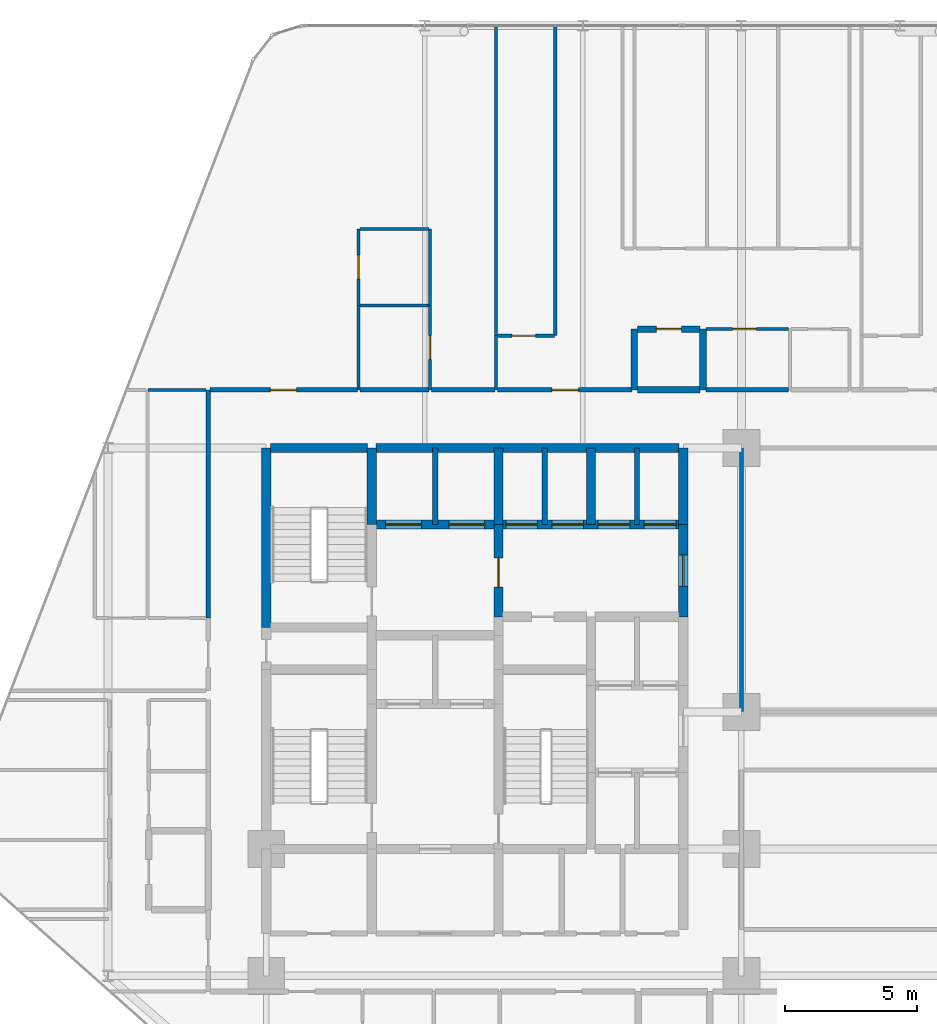
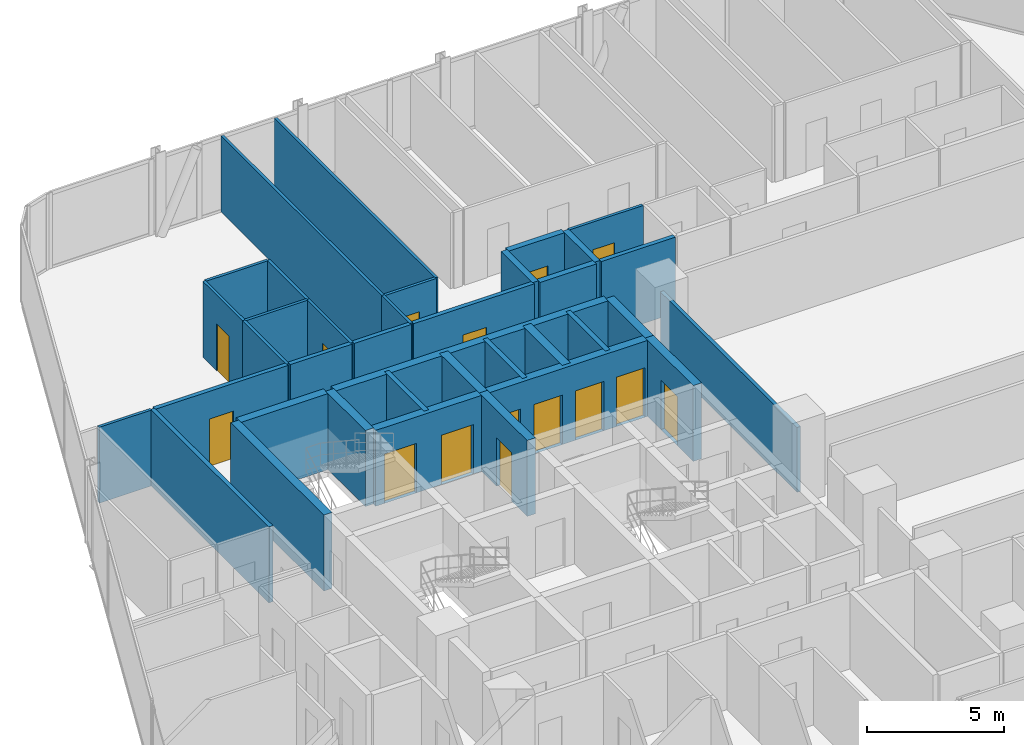
# One storey, part 30 of 33: 36 walls, 15 doors, 15 openings.
"""IFC4 building model written with IfcOpenShell, lengths in metres."""

from ifc_helpers import new_model, si_unit, direction, frame, frame_2d, origin, place, context, subcontext, project, spatial, rectangle, extrude, material, layer, layer_set, type_object, element, fill, save


model = new_model("IFC4")

# Units and contexts
model_context = context("Model", 3, precision=1e-05, world=origin(), true_north=direction((0.0, 1.0)))
body_context = subcontext(model_context, "Body", "Model", "MODEL_VIEW")
ifc_project = project(units=[si_unit("LENGTHUNIT", "METRE"), si_unit("AREAUNIT", "SQUARE_METRE"), si_unit("VOLUMEUNIT", "CUBIC_METRE"), si_unit("PLANEANGLEUNIT", "RADIAN"), si_unit("MASSUNIT", "GRAM", prefix="KILO")], contexts=[model_context])

# Site, building, storey
site_placement = place(None, origin())
site = spatial("IfcSite", under=ifc_project, at=site_placement, CompositionType="ELEMENT")
building_placement = place(site_placement, origin())
building = spatial("IfcBuilding", under=site, at=building_placement, Name="Keshet Zoharim Tower", CompositionType="ELEMENT")
storey_placement = place(building_placement, frame((0.0, 0.0, 35.10009765625)))
storey = spatial("IfcBuildingStorey", under=building, at=storey_placement, Name="L07", CompositionType="ELEMENT", Elevation=35.10009765625)

# Walls
ifc_material_1 = material(Name="Gypsum Plasterboard", Category="gypsum")
ifc_layer_1 = layer(ifc_material_1, 0.14990234375)
ifc_layer_set_1 = layer_set([ifc_layer_1], Name="Gypsum Plasterboard")
wall_type_1 = type_object("IfcWallType", Name="WL-CLIN-150", PredefinedType="STANDARD", material=ifc_layer_set_1)
wall_1_placement = place(storey_placement, frame((33.0, 27.909912109375, 0.0), z_axis=(0.0, 0.0, 1.0), x_axis=(0.0, 1.0, 0.0)))
element("IfcWall", 1, at=wall_1_placement, inside=storey, type_object=wall_type_1, Name="L07 Interior Wall 073", PredefinedType="STANDARD", context=body_context, shape_type="SweptSolid", body=[
    extrude(rectangle(XDim=9.97998046875, YDim=0.14990234375, at=frame_2d((4.989990234375, 0.0))), origin(), (0.0, 0.0, 1.0), 2.885009765625),
])
ifc_material_2 = material(Name="Concrete C60/75", Category="concrete")
ifc_layer_2 = layer(ifc_material_2, 0.35009765625)
ifc_layer_set_2 = layer_set([ifc_layer_2], Name="Concrete C60/75")
wall_type_2 = type_object("IfcWallType", Name="WL-CORE-350", PredefinedType="SHEAR", material=ifc_layer_set_2)
wall_2_placement = place(storey_placement, frame((15.0, 31.10009765625, 0.0), z_axis=(0.0, 0.0, 1.0), x_axis=(0.0, 1.0, 0.0)))
element("IfcWall", 2, at=wall_2_placement, inside=storey, type_object=wall_type_2, Name="L07 Core Shear Wall 016", PredefinedType="SHEAR", context=body_context, shape_type="SweptSolid", body=[
    extrude(rectangle(XDim=6.7998046875, YDim=0.35009765625, at=frame_2d((3.39990234375, 0.0))), origin(), (0.0, 0.0, 1.0), 3.385009765625),
])
wall_3_placement = place(storey_placement, frame((19.0, 35.0, 0.0), z_axis=(0.0, 0.0, 1.0), x_axis=(0.0, 1.0, 0.0)))
element("IfcWall", 3, at=wall_3_placement, inside=storey, type_object=wall_type_2, Name="L07 Core Shear Wall 025", PredefinedType="SHEAR", context=body_context, shape_type="SweptSolid", body=[
    extrude(rectangle(XDim=2.89990234375, YDim=0.35009765625, at=frame_2d((1.449951171875, 0.0))), origin(), (0.0, 0.0, 1.0), 3.385009765625),
])

# Wall, opening, door
wall_4_placement = place(storey_placement, frame((23.800048828125, 31.5, 0.0), z_axis=(0.0, 0.0, 1.0), x_axis=(0.0, 1.0, 0.0)))
wall_4 = element("IfcWall", 4, at=wall_4_placement, inside=storey, type_object=wall_type_2, Name="L07 Core Shear Wall 039", PredefinedType="SHEAR", context=body_context, shape_type="SweptSolid", body=[
    extrude(rectangle(XDim=3.5, YDim=0.35009765625, at=frame_2d((1.75, 0.0))), origin(), (0.0, 0.0, 1.0), 3.385009765625),
])
opening_1_placement = place(wall_4_placement, frame((1.126953125, 0.0, 0.0)))
opening_1 = element("IfcOpeningElement", 5, at=opening_1_placement, cuts=wall_4, Name="Opening D-F611", PredefinedType="OPENING", context=body_context, shape_type="SweptSolid", body=[
    extrude(rectangle(XDim=1.10009765625, YDim=2.14990234375, at=frame_2d((0.550048828125, 1.074951171875))), frame((0.0, 0.18505859375, 0.0), z_axis=(0.0, -1.0, 0.0), x_axis=(1.0, 0.0, 0.0)), (0.0, 0.0, 1.0), 0.3701171875),
])
ifc_material_3 = material(Name="Hardwood Timber", Category="wood")
door_type_1 = type_object("IfcDoorType", Name="DR-FD60-110", OperationType="NOTDEFINED", PredefinedType="DOOR", material=ifc_material_3)
door_1_placement = place(opening_1_placement, origin())
door_1 = element("IfcDoor", 6, at=door_1_placement, inside=storey, type_object=door_type_1, Name="L07 Firefighting Lobby Fire Door", OperationType="SINGLE_SWING_LEFT", OverallHeight=2.14990234375, OverallWidth=1.10009765625, PredefinedType="DOOR", context=body_context, shape_type="SweptSolid", body=[
    extrude(rectangle(XDim=1.10009765625, YDim=2.14990234375, at=frame_2d((0.550048828125, 1.074951171875))), frame((0.0, 0.02490234375, 0.0), z_axis=(0.0, -1.0, 0.0), x_axis=(1.0, 0.0, 0.0)), (0.0, 0.0, 1.0), 0.050048828125),
])
fill(opening_1, door_1)

# Walls
for number, where, z_axis, x_axis, name in (
    (7, (23.800048828125, 35.0, 0.0), (0.0, 0.0, 1.0), (0.0, 1.0, 0.0), "L07 Core Shear Wall 040"),
    (8, (27.300048828125, 35.0, 0.0), (0.0, 0.0, 1.0), (0.0, 1.0, 0.0), "L07 Core Shear Wall 051"),
):
    element("IfcWall", number, at=place(storey_placement, frame(where, z_axis=z_axis, x_axis=x_axis)), inside=storey, type_object=wall_type_2, Name=name, PredefinedType="SHEAR", context=body_context, shape_type="SweptSolid", body=[
        extrude(rectangle(XDim=2.89990234375, YDim=0.35009765625, at=frame_2d((1.449951171875, 0.0))), origin(), (0.0, 0.0, 1.0), 3.385009765625),
    ])

# Wall, opening, door
wall_5_placement = place(storey_placement, frame((30.800048828125, 31.5, 0.0), z_axis=(0.0, 0.0, 1.0), x_axis=(0.0, 1.0, 0.0)))
wall_5 = element("IfcWall", 9, at=wall_5_placement, inside=storey, type_object=wall_type_2, Name="L07 Core Shear Wall 066", PredefinedType="SHEAR", context=body_context, shape_type="SweptSolid", body=[
    extrude(rectangle(XDim=3.5, YDim=0.35009765625, at=frame_2d((1.75, 0.0))), origin(), (0.0, 0.0, 1.0), 3.385009765625),
])
opening_2_placement = place(wall_5_placement, frame((1.14990234375, 0.0, 0.0)))
opening_2 = element("IfcOpeningElement", 10, at=opening_2_placement, cuts=wall_5, Name="Opening D-F612", PredefinedType="OPENING", context=body_context, shape_type="SweptSolid", body=[
    extrude(rectangle(XDim=1.199951171875, YDim=2.199951171875, at=frame_2d((0.60009765625, 1.10009765625))), frame((0.0, 0.18505859375, 0.0), z_axis=(0.0, -1.0, 0.0), x_axis=(1.0, 0.0, 0.0)), (0.0, 0.0, 1.0), 0.3701171875),
])
door_type_2 = type_object("IfcDoorType", Name="DR-FD60-120", OperationType="NOTDEFINED", PredefinedType="DOOR", material=ifc_material_3)
door_2_placement = place(opening_2_placement, origin())
door_2 = element("IfcDoor", 11, at=door_2_placement, inside=storey, type_object=door_type_2, Name="L07 North Lift Lobby East Fire Door", OperationType="SINGLE_SWING_LEFT", OverallHeight=2.199951171875, OverallWidth=1.199951171875, PredefinedType="DOOR", context=body_context, shape_type="SweptSolid", body=[
    extrude(rectangle(XDim=1.199951171875, YDim=2.199951171875, at=frame_2d((0.60009765625, 1.10009765625))), frame((0.0, 0.02490234375, 0.0), z_axis=(0.0, -1.0, 0.0), x_axis=(1.0, 0.0, 0.0)), (0.0, 0.0, 1.0), 0.050048828125),
])
fill(opening_2, door_2)

# Wall
wall_6_placement = place(storey_placement, frame((30.800048828125, 35.0, 0.0), z_axis=(0.0, 0.0, 1.0), x_axis=(0.0, 1.0, 0.0)))
element("IfcWall", 12, at=wall_6_placement, inside=storey, type_object=wall_type_2, Name="L07 Core Shear Wall 067", PredefinedType="SHEAR", context=body_context, shape_type="SweptSolid", body=[
    extrude(rectangle(XDim=2.89990234375, YDim=0.35009765625, at=frame_2d((1.449951171875, 0.0))), origin(), (0.0, 0.0, 1.0), 3.385009765625),
])

# Wall, openings, doors
wall_7_placement = place(storey_placement, frame((19.159912109375, 35.0, 0.0), z_axis=(0.0, 0.0, 1.0), x_axis=(1.0, 0.0, 0.0)))
wall_7 = element("IfcWall", 13, at=wall_7_placement, inside=storey, type_object=wall_type_2, Name="L07 Core Shear Wall 202", PredefinedType="SHEAR", context=body_context, shape_type="SweptSolid", body=[
    extrude(rectangle(XDim=11.47998046875, YDim=0.35009765625, at=frame_2d((5.739990234375, 0.0))), origin(), (0.0, 0.0, 1.0), 3.385009765625),
])
opening_3_placement = place(wall_7_placement, frame((0.364990234375, 0.0, 0.0)))
opening_3 = element("IfcOpeningElement", 14, at=opening_3_placement, cuts=wall_7, Name="Opening LD-02", PredefinedType="OPENING", context=body_context, shape_type="SweptSolid", body=[
    extrude(rectangle(XDim=1.35009765625, YDim=2.199951171875, at=frame_2d((0.675048828125, 1.10009765625))), frame((0.0, 0.18505859375, 0.0), z_axis=(0.0, -1.0, 0.0), x_axis=(1.0, 0.0, 0.0)), (0.0, 0.0, 1.0), 0.3701171875),
])
opening_4_placement = place(wall_7_placement, frame((2.764892578125, 0.0, 0.0)))
opening_4 = element("IfcOpeningElement", 15, at=opening_4_placement, cuts=wall_7, Name="Opening LD-02", PredefinedType="OPENING", context=body_context, shape_type="SweptSolid", body=[
    extrude(rectangle(XDim=1.35009765625, YDim=2.199951171875, at=frame_2d((0.675048828125, 1.10009765625))), frame((0.0, 0.18505859375, 0.0), z_axis=(0.0, -1.0, 0.0), x_axis=(1.0, 0.0, 0.0)), (0.0, 0.0, 1.0), 0.3701171875),
])
opening_5_placement = place(wall_7_placement, frame((4.9150390625, 0.0, 0.0)))
opening_5 = element("IfcOpeningElement", 16, at=opening_5_placement, cuts=wall_7, Name="Opening LD-03", PredefinedType="OPENING", context=body_context, shape_type="SweptSolid", body=[
    extrude(rectangle(XDim=1.199951171875, YDim=2.199951171875, at=frame_2d((0.60009765625, 1.10009765625))), frame((0.0, 0.18505859375, 0.0), z_axis=(0.0, -1.0, 0.0), x_axis=(1.0, 0.0, 0.0)), (0.0, 0.0, 1.0), 0.3701171875),
])
opening_6_placement = place(wall_7_placement, frame((6.6650390625, 0.0, 0.0)))
opening_6 = element("IfcOpeningElement", 17, at=opening_6_placement, cuts=wall_7, Name="Opening LD-03", PredefinedType="OPENING", context=body_context, shape_type="SweptSolid", body=[
    extrude(rectangle(XDim=1.199951171875, YDim=2.199951171875, at=frame_2d((0.60009765625, 1.10009765625))), frame((0.0, 0.18505859375, 0.0), z_axis=(0.0, -1.0, 0.0), x_axis=(1.0, 0.0, 0.0)), (0.0, 0.0, 1.0), 0.3701171875),
])
opening_7_placement = place(wall_7_placement, frame((8.4150390625, 0.0, 0.0)))
opening_7 = element("IfcOpeningElement", 18, at=opening_7_placement, cuts=wall_7, Name="Opening LD-03", PredefinedType="OPENING", context=body_context, shape_type="SweptSolid", body=[
    extrude(rectangle(XDim=1.199951171875, YDim=2.199951171875, at=frame_2d((0.60009765625, 1.10009765625))), frame((0.0, 0.18505859375, 0.0), z_axis=(0.0, -1.0, 0.0), x_axis=(1.0, 0.0, 0.0)), (0.0, 0.0, 1.0), 0.3701171875),
])
opening_8_placement = place(wall_7_placement, frame((10.159912109375, 0.0, 0.0)))
opening_8 = element("IfcOpeningElement", 19, at=opening_8_placement, cuts=wall_7, Name="Opening LD-03", PredefinedType="OPENING", context=body_context, shape_type="SweptSolid", body=[
    extrude(rectangle(XDim=1.199951171875, YDim=2.199951171875, at=frame_2d((0.60009765625, 1.10009765625))), frame((0.0, 0.18505859375, 0.0), z_axis=(0.0, -1.0, 0.0), x_axis=(1.0, 0.0, 0.0)), (0.0, 0.0, 1.0), 0.3701171875),
])
ifc_material_4 = material(Name="Steel S355", Category="steel")
door_type_3 = type_object("IfcDoorType", Name="DR-LD02-135", OperationType="DOUBLE_DOOR_SLIDING", PredefinedType="DOOR", material=ifc_material_4)
door_3_placement = place(opening_3_placement, origin())
door_3 = element("IfcDoor", 20, at=door_3_placement, inside=storey, type_object=door_type_3, Name="L07 Firefighting Lift Landing Door FF-01", OperationType="DOUBLE_DOOR_SLIDING", OverallHeight=2.199951171875, OverallWidth=1.35009765625, PredefinedType="DOOR", context=body_context, shape_type="SweptSolid", body=[
    extrude(rectangle(XDim=1.35009765625, YDim=2.199951171875, at=frame_2d((0.675048828125, 1.10009765625))), frame((0.0, 0.02490234375, 0.0), z_axis=(0.0, -1.0, 0.0), x_axis=(1.0, 0.0, 0.0)), (0.0, 0.0, 1.0), 0.050048828125),
])
fill(opening_3, door_3)
door_4_placement = place(opening_4_placement, origin())
door_4 = element("IfcDoor", 21, at=door_4_placement, inside=storey, type_object=door_type_3, Name="L07 Firefighting Lift Landing Door FF-02", OperationType="DOUBLE_DOOR_SLIDING", OverallHeight=2.199951171875, OverallWidth=1.35009765625, PredefinedType="DOOR", context=body_context, shape_type="SweptSolid", body=[
    extrude(rectangle(XDim=1.35009765625, YDim=2.199951171875, at=frame_2d((0.675048828125, 1.10009765625))), frame((0.0, 0.02490234375, 0.0), z_axis=(0.0, -1.0, 0.0), x_axis=(1.0, 0.0, 0.0)), (0.0, 0.0, 1.0), 0.050048828125),
])
fill(opening_4, door_4)
door_type_4 = type_object("IfcDoorType", Name="DR-LD03-120", OperationType="DOUBLE_DOOR_SLIDING", PredefinedType="DOOR", material=ifc_material_4)
door_5_placement = place(opening_5_placement, origin())
door_5 = element("IfcDoor", 22, at=door_5_placement, inside=storey, type_object=door_type_4, Name="L07 Passenger Lift Landing Door LF-01", OperationType="DOUBLE_DOOR_SLIDING", OverallHeight=2.199951171875, OverallWidth=1.199951171875, PredefinedType="DOOR", context=body_context, shape_type="SweptSolid", body=[
    extrude(rectangle(XDim=1.199951171875, YDim=2.199951171875, at=frame_2d((0.60009765625, 1.10009765625))), frame((0.0, 0.02490234375, 0.0), z_axis=(0.0, -1.0, 0.0), x_axis=(1.0, 0.0, 0.0)), (0.0, 0.0, 1.0), 0.050048828125),
])
fill(opening_5, door_5)
door_6_placement = place(opening_6_placement, origin())
door_6 = element("IfcDoor", 23, at=door_6_placement, inside=storey, type_object=door_type_4, Name="L07 Passenger Lift Landing Door LF-02", OperationType="DOUBLE_DOOR_SLIDING", OverallHeight=2.199951171875, OverallWidth=1.199951171875, PredefinedType="DOOR", context=body_context, shape_type="SweptSolid", body=[
    extrude(rectangle(XDim=1.199951171875, YDim=2.199951171875, at=frame_2d((0.60009765625, 1.10009765625))), frame((0.0, 0.02490234375, 0.0), z_axis=(0.0, -1.0, 0.0), x_axis=(1.0, 0.0, 0.0)), (0.0, 0.0, 1.0), 0.050048828125),
])
fill(opening_6, door_6)
door_7_placement = place(opening_7_placement, origin())
door_7 = element("IfcDoor", 24, at=door_7_placement, inside=storey, type_object=door_type_4, Name="L07 Passenger Lift Landing Door LF-03", OperationType="DOUBLE_DOOR_SLIDING", OverallHeight=2.199951171875, OverallWidth=1.199951171875, PredefinedType="DOOR", context=body_context, shape_type="SweptSolid", body=[
    extrude(rectangle(XDim=1.199951171875, YDim=2.199951171875, at=frame_2d((0.60009765625, 1.10009765625))), frame((0.0, 0.02490234375, 0.0), z_axis=(0.0, -1.0, 0.0), x_axis=(1.0, 0.0, 0.0)), (0.0, 0.0, 1.0), 0.050048828125),
])
fill(opening_7, door_7)
door_8_placement = place(opening_8_placement, origin())
door_8 = element("IfcDoor", 25, at=door_8_placement, inside=storey, type_object=door_type_4, Name="L07 Passenger Lift Landing Door LF-04", OperationType="DOUBLE_DOOR_SLIDING", OverallHeight=2.199951171875, OverallWidth=1.199951171875, PredefinedType="DOOR", context=body_context, shape_type="SweptSolid", body=[
    extrude(rectangle(XDim=1.199951171875, YDim=2.199951171875, at=frame_2d((0.60009765625, 1.10009765625))), frame((0.0, 0.02490234375, 0.0), z_axis=(0.0, -1.0, 0.0), x_axis=(1.0, 0.0, 0.0)), (0.0, 0.0, 1.0), 0.050048828125),
])
fill(opening_8, door_8)

# Walls
wall_8_placement = place(storey_placement, frame((15.159912109375, 37.89990234375, 0.0), z_axis=(0.0, 0.0, 1.0), x_axis=(1.0, 0.0, 0.0)))
element("IfcWall", 26, at=wall_8_placement, inside=storey, type_object=wall_type_2, Name="L07 Core Shear Wall 203", PredefinedType="SHEAR", context=body_context, shape_type="SweptSolid", body=[
    extrude(rectangle(XDim=3.68017578125, YDim=0.35009765625, at=frame_2d((1.840087890625, 0.0))), origin(), (0.0, 0.0, 1.0), 3.385009765625),
])
wall_9_placement = place(storey_placement, frame((19.159912109375, 37.89990234375, 0.0), z_axis=(0.0, 0.0, 1.0), x_axis=(1.0, 0.0, 0.0)))
element("IfcWall", 27, at=wall_9_placement, inside=storey, type_object=wall_type_2, Name="L07 Core Shear Wall 204", PredefinedType="SHEAR", context=body_context, shape_type="SweptSolid", body=[
    extrude(rectangle(XDim=11.47998046875, YDim=0.35009765625, at=frame_2d((5.739990234375, 0.0))), origin(), (0.0, 0.0, 1.0), 3.385009765625),
])
ifc_layer_3 = layer(ifc_material_1, 0.179931640625)
ifc_layer_set_3 = layer_set([ifc_layer_3], Name="Gypsum Plasterboard")
wall_type_3 = type_object("IfcWallType", Name="WL-CORR-180", PredefinedType="STANDARD", material=ifc_layer_set_3)
wall_10_placement = place(storey_placement, frame((12.800048828125, 31.449951171875, 0.0), z_axis=(0.0, 0.0, 1.0), x_axis=(0.0, 1.0, 0.0)))
element("IfcWall", 28, at=wall_10_placement, inside=storey, type_object=wall_type_3, Name="L07 Interior Wall 012", PredefinedType="STANDARD", context=body_context, shape_type="SweptSolid", body=[
    extrude(rectangle(XDim=8.650146484375, YDim=0.179931640625, at=frame_2d((4.3251953125, 0.0))), origin(), (0.0, 0.0, 1.0), 3.385009765625),
])

# Wall, opening, door
wall_11_placement = place(storey_placement, frame((12.875, 40.10009765625, 0.0), z_axis=(0.0, 0.0, 1.0), x_axis=(1.0, 0.0, 0.0)))
wall_11 = element("IfcWall", 29, at=wall_11_placement, inside=storey, type_object=wall_type_3, Name="L07 Interior Wall 208", PredefinedType="STANDARD", context=body_context, shape_type="SweptSolid", body=[
    extrude(rectangle(XDim=5.590087890625, YDim=0.179931640625, at=frame_2d((2.794921875, 0.0))), origin(), (0.0, 0.0, 1.0), 3.385009765625),
])
opening_9_placement = place(wall_11_placement, frame((2.280029296875, 0.0, 0.0)))
opening_9 = element("IfcOpeningElement", 30, at=opening_9_placement, cuts=wall_11, Name="Opening D-F310", PredefinedType="OPENING", context=body_context, shape_type="SweptSolid", body=[
    extrude(rectangle(XDim=1.0, YDim=2.14990234375, at=frame_2d((0.5, 1.074951171875))), frame((0.0, 0.10009765625, 0.0), z_axis=(0.0, -1.0, 0.0), x_axis=(1.0, 0.0, 0.0)), (0.0, 0.0, 1.0), 0.199951171875),
])
door_type_5 = type_object("IfcDoorType", Name="DR-FD30-100", OperationType="NOTDEFINED", PredefinedType="DOOR", material=ifc_material_3)
door_9_placement = place(opening_9_placement, origin())
door_9 = element("IfcDoor", 31, at=door_9_placement, inside=storey, type_object=door_type_5, Name="Apartment 0705 Entrance Door", OperationType="SINGLE_SWING_LEFT", OverallHeight=2.14990234375, OverallWidth=1.0, PredefinedType="DOOR", context=body_context, shape_type="SweptSolid", body=[
    extrude(rectangle(XDim=1.0, YDim=2.14990234375, at=frame_2d((0.5, 1.074951171875))), frame((0.0, 0.02490234375, 0.0), z_axis=(0.0, -1.0, 0.0), x_axis=(1.0, 0.0, 0.0)), (0.0, 0.0, 1.0), 0.050048828125),
])
fill(opening_9, door_9)

# Walls
wall_12_placement = place(storey_placement, frame((18.554931640625, 40.10009765625, 0.0), z_axis=(0.0, 0.0, 1.0), x_axis=(1.0, 0.0, 0.0)))
element("IfcWall", 32, at=wall_12_placement, inside=storey, type_object=wall_type_3, Name="L07 Interior Wall 209", PredefinedType="STANDARD", context=body_context, shape_type="SweptSolid", body=[
    extrude(rectangle(XDim=2.610107421875, YDim=0.179931640625, at=frame_2d((1.30517578125, 0.0))), origin(), (0.0, 0.0, 1.0), 3.385009765625),
])
wall_13_placement = place(storey_placement, frame((21.2548828125, 40.10009765625, 0.0), z_axis=(0.0, 0.0, 1.0), x_axis=(1.0, 0.0, 0.0)))
element("IfcWall", 33, at=wall_13_placement, inside=storey, type_object=wall_type_3, Name="L07 Interior Wall 210", PredefinedType="STANDARD", context=body_context, shape_type="SweptSolid", body=[
    extrude(rectangle(XDim=2.41015625, YDim=0.179931640625, at=frame_2d((1.205078125, 0.0))), origin(), (0.0, 0.0, 1.0), 3.385009765625),
])

# Wall, opening, door
wall_14_placement = place(storey_placement, frame((23.7548828125, 40.10009765625, 0.0), z_axis=(0.0, 0.0, 1.0), x_axis=(1.0, 0.0, 0.0)))
wall_14 = element("IfcWall", 34, at=wall_14_placement, inside=storey, type_object=wall_type_3, Name="L07 Interior Wall 211", PredefinedType="STANDARD", context=body_context, shape_type="SweptSolid", body=[
    extrude(rectangle(XDim=5.09521484375, YDim=0.179931640625, at=frame_2d((2.547607421875, 0.0))), origin(), (0.0, 0.0, 1.0), 3.385009765625),
])
opening_10_placement = place(wall_14_placement, frame((2.080078125, 0.0, 0.0)))
opening_10 = element("IfcOpeningElement", 35, at=opening_10_placement, cuts=wall_14, Name="Opening D-F310", PredefinedType="OPENING", context=body_context, shape_type="SweptSolid", body=[
    extrude(rectangle(XDim=1.0, YDim=2.14990234375, at=frame_2d((0.5, 1.074951171875))), frame((0.0, 0.10009765625, 0.0), z_axis=(0.0, -1.0, 0.0), x_axis=(1.0, 0.0, 0.0)), (0.0, 0.0, 1.0), 0.199951171875),
])
door_10_placement = place(opening_10_placement, origin())
door_10 = element("IfcDoor", 36, at=door_10_placement, inside=storey, type_object=door_type_5, Name="Apartment 0706 Entrance Door", OperationType="SINGLE_SWING_RIGHT", OverallHeight=2.14990234375, OverallWidth=1.0, PredefinedType="DOOR", context=body_context, shape_type="SweptSolid", body=[
    extrude(rectangle(XDim=1.0, YDim=2.14990234375, at=frame_2d((0.5, 1.074951171875))), frame((0.0, 0.02490234375, 0.0), z_axis=(0.0, -1.0, 0.0), x_axis=(1.0, 0.0, 0.0)), (0.0, 0.0, 1.0), 0.050048828125),
])
fill(opening_10, door_10)

# Walls
wall_15_placement = place(storey_placement, frame((31.662109375, 40.10009765625, 0.0), z_axis=(0.0, 0.0, 1.0), x_axis=(1.0, 0.0, 0.0)))
element("IfcWall", 37, at=wall_15_placement, inside=storey, type_object=wall_type_3, Name="L07 Interior Wall 213", PredefinedType="STANDARD", context=body_context, shape_type="SweptSolid", body=[
    extrude(rectangle(XDim=3.120849609375, YDim=0.179931640625, at=frame_2d((1.560546875, 0.0))), origin(), (0.0, 0.0, 1.0), 3.385009765625),
])
ifc_material_5 = material(Name="Concrete C50/60", Category="concrete")
ifc_layer_4 = layer(ifc_material_5, 0.199951171875)
ifc_layer_set_4 = layer_set([ifc_layer_4], Name="Concrete C50/60")
wall_type_4 = type_object("IfcWallType", Name="WL-FIRE-200", PredefinedType="STANDARD", material=ifc_layer_set_4)
for number, where, z_axis, x_axis, name in (
    (38, (21.39990234375, 35.0, 0.0), (0.0, 0.0, 1.0), (0.0, 1.0, 0.0), "L07 Interior Wall 031"),
    (39, (25.550048828125, 35.0, 0.0), (0.0, 0.0, 1.0), (0.0, 1.0, 0.0), "L07 Interior Wall 043"),
    (40, (29.050048828125, 35.0, 0.0), (0.0, 0.0, 1.0), (0.0, 1.0, 0.0), "L07 Interior Wall 059"),
):
    element("IfcWall", number, at=place(storey_placement, frame(where, z_axis=z_axis, x_axis=x_axis)), inside=storey, type_object=wall_type_4, Name=name, PredefinedType="STANDARD", context=body_context, shape_type="SweptSolid", body=[
        extrude(rectangle(XDim=2.89990234375, YDim=0.199951171875, at=frame_2d((1.449951171875, 0.0))), origin(), (0.0, 0.0, 1.0), 3.385009765625),
    ])
ifc_layer_5 = layer(ifc_material_5, 0.25)
ifc_layer_set_5 = layer_set([ifc_layer_5], Name="Concrete C50/60")
wall_type_5 = type_object("IfcWallType", Name="WL-MAMAD-250", PredefinedType="STANDARD", material=ifc_layer_set_5)
for number, where, z_axis, x_axis, name in (
    (41, (28.949951171875, 40.10009765625, 0.0), (0.0, 0.0, 1.0), (0.0, 1.0, 0.0), "L07 Interior Wall 055"),
    (42, (31.550048828125, 40.10009765625, 0.0), (0.0, 0.0, 1.0), (0.0, 1.0, 0.0), "L07 Interior Wall 068"),
):
    element("IfcWall", number, at=place(storey_placement, frame(where, z_axis=z_axis, x_axis=x_axis)), inside=storey, type_object=wall_type_5, Name=name, PredefinedType="STANDARD", context=body_context, shape_type="SweptSolid", body=[
        extrude(rectangle(XDim=2.2998046875, YDim=0.25, at=frame_2d((1.14990234375, 0.0))), origin(), (0.0, 0.0, 1.0), 3.385009765625),
    ])
wall_16_placement = place(storey_placement, frame((29.070068359375, 40.10009765625, 0.0), z_axis=(0.0, 0.0, 1.0), x_axis=(1.0, 0.0, 0.0)))
element("IfcWall", 43, at=wall_16_placement, inside=storey, type_object=wall_type_5, Name="L07 Interior Wall 212", PredefinedType="STANDARD", context=body_context, shape_type="SweptSolid", body=[
    extrude(rectangle(XDim=2.371826171875, YDim=0.25, at=frame_2d((1.18603515625, 0.0))), origin(), (0.0, 0.0, 1.0), 3.385009765625),
])

# Wall, opening, door
wall_17_placement = place(storey_placement, frame((29.070068359375, 42.39990234375, 0.0), z_axis=(0.0, 0.0, 1.0), x_axis=(1.0, 0.0, 0.0)))
wall_17 = element("IfcWall", 44, at=wall_17_placement, inside=storey, type_object=wall_type_5, Name="L07 Interior Wall 226", PredefinedType="STANDARD", context=body_context, shape_type="SweptSolid", body=[
    extrude(rectangle(XDim=2.371826171875, YDim=0.25, at=frame_2d((1.18603515625, 0.0))), origin(), (0.0, 0.0, 1.0), 3.385009765625),
])
opening_11_placement = place(wall_17_placement, frame((0.7109375, 0.0, 0.0)))
opening_11 = element("IfcOpeningElement", 45, at=opening_11_placement, cuts=wall_17, Name="Opening D-F695", PredefinedType="OPENING", context=body_context, shape_type="SweptSolid", body=[
    extrude(rectangle(XDim=0.949951171875, YDim=2.14990234375, at=frame_2d((0.47509765625, 1.074951171875))), frame((0.0, 0.135009765625, 0.0), z_axis=(0.0, -1.0, 0.0), x_axis=(1.0, 0.0, 0.0)), (0.0, 0.0, 1.0), 0.27001953125),
])
door_type_6 = type_object("IfcDoorType", Name="DR-FD60-095", OperationType="NOTDEFINED", PredefinedType="DOOR", material=ifc_material_3)
door_11_placement = place(opening_11_placement, origin())
door_11 = element("IfcDoor", 46, at=door_11_placement, inside=storey, type_object=door_type_6, Name="Apartment 0706 Study and Shelter Room Door", OperationType="SINGLE_SWING_LEFT", OverallHeight=2.14990234375, OverallWidth=0.949951171875, PredefinedType="DOOR", context=body_context, shape_type="SweptSolid", body=[
    extrude(rectangle(XDim=0.949951171875, YDim=2.14990234375, at=frame_2d((0.47509765625, 1.074951171875))), frame((0.0, 0.02490234375, 0.0), z_axis=(0.0, -1.0, 0.0), x_axis=(1.0, 0.0, 0.0)), (0.0, 0.0, 1.0), 0.050048828125),
])
fill(opening_11, door_11)

# Wall
ifc_layer_6 = layer(ifc_material_1, 0.1201171875)
ifc_layer_set_6 = layer_set([ifc_layer_6], Name="Gypsum Plasterboard")
wall_type_6 = type_object("IfcWallType", Name="WL-PART-120", PredefinedType="PARTITIONING", material=ifc_layer_set_6)
wall_18_placement = place(storey_placement, frame((18.5, 40.10009765625, 0.0), z_axis=(0.0, 0.0, 1.0), x_axis=(0.0, 1.0, 0.0)))
element("IfcWall", 47, at=wall_18_placement, inside=storey, type_object=wall_type_6, Name="L07 Interior Wall 017", PredefinedType="PARTITIONING", context=body_context, shape_type="SweptSolid", body=[
    extrude(rectangle(XDim=3.199951171875, YDim=0.1201171875, at=frame_2d((1.60009765625, 0.0))), origin(), (0.0, 0.0, 1.0), 3.385009765625),
])

# Wall, opening, door
wall_19_placement = place(storey_placement, frame((21.199951171875, 40.10009765625, 0.0), z_axis=(0.0, 0.0, 1.0), x_axis=(0.0, 1.0, 0.0)))
wall_19 = element("IfcWall", 48, at=wall_19_placement, inside=storey, type_object=wall_type_6, Name="L07 Interior Wall 026", PredefinedType="PARTITIONING", context=body_context, shape_type="SweptSolid", body=[
    extrude(rectangle(XDim=3.199951171875, YDim=0.1201171875, at=frame_2d((1.60009765625, 0.0))), origin(), (0.0, 0.0, 1.0), 3.385009765625),
])
opening_12_placement = place(wall_19_placement, frame((1.14990234375, 0.0, 0.0)))
opening_12 = element("IfcOpeningElement", 49, at=opening_12_placement, cuts=wall_19, Name="Opening D-IN90", PredefinedType="OPENING", context=body_context, shape_type="SweptSolid", body=[
    extrude(rectangle(XDim=0.89990234375, YDim=2.14990234375, at=frame_2d((0.449951171875, 1.074951171875))), frame((0.0, 0.070068359375, 0.0), z_axis=(0.0, -1.0, 0.0), x_axis=(1.0, 0.0, 0.0)), (0.0, 0.0, 1.0), 0.14013671875),
])
door_type_7 = type_object("IfcDoorType", Name="DR-INT-090", OperationType="NOTDEFINED", PredefinedType="DOOR", material=ifc_material_3)
door_12_placement = place(opening_12_placement, origin())
door_12 = element("IfcDoor", 50, at=door_12_placement, inside=storey, type_object=door_type_7, Name="Apartment 0705 Kitchenette Door", OperationType="SINGLE_SWING_LEFT", OverallHeight=2.14990234375, OverallWidth=0.89990234375, PredefinedType="DOOR", context=body_context, shape_type="SweptSolid", body=[
    extrude(rectangle(XDim=0.89990234375, YDim=2.14990234375, at=frame_2d((0.449951171875, 1.074951171875))), frame((0.0, 0.02490234375, 0.0), z_axis=(0.0, -1.0, 0.0), x_axis=(1.0, 0.0, 0.0)), (0.0, 0.0, 1.0), 0.050048828125),
])
fill(opening_12, door_12)

# Walls
wall_20_placement = place(storey_placement, frame((23.699951171875, 40.10009765625, 0.0), z_axis=(0.0, 0.0, 1.0), x_axis=(0.0, 1.0, 0.0)))
element("IfcWall", 51, at=wall_20_placement, inside=storey, type_object=wall_type_6, Name="L07 Interior Wall 032", PredefinedType="PARTITIONING", context=body_context, shape_type="SweptSolid", body=[
    extrude(rectangle(XDim=2.0498046875, YDim=0.1201171875, at=frame_2d((1.02490234375, 0.0))), origin(), (0.0, 0.0, 1.0), 3.385009765625),
])
for number, where, z_axis, x_axis, name in (
    (52, (23.699951171875, 42.14990234375, 0.0), (0.0, 0.0, 1.0), (0.0, 1.0, 0.0), "L07 Interior Wall 033"),
    (53, (25.949951171875, 42.14990234375, 0.0), (0.0, 0.0, 1.0), (0.0, 1.0, 0.0), "L07 Interior Wall 044"),
):
    element("IfcWall", number, at=place(storey_placement, frame(where, z_axis=z_axis, x_axis=x_axis)), inside=storey, type_object=wall_type_6, Name=name, PredefinedType="PARTITIONING", context=body_context, shape_type="SweptSolid", body=[
        extrude(rectangle(XDim=11.739990234375, YDim=0.1201171875, at=frame_2d((5.8701171875, 0.0))), origin(), (0.0, 0.0, 1.0), 3.385009765625),
    ])

# Wall, opening, door
wall_21_placement = place(storey_placement, frame((23.7548828125, 42.14990234375, 0.0), z_axis=(0.0, 0.0, 1.0), x_axis=(1.0, 0.0, 0.0)))
wall_21 = element("IfcWall", 54, at=wall_21_placement, inside=storey, type_object=wall_type_6, Name="L07 Interior Wall 224", PredefinedType="PARTITIONING", context=body_context, shape_type="SweptSolid", body=[
    extrude(rectangle(XDim=2.16015625, YDim=0.1201171875, at=frame_2d((1.080078125, 0.0))), origin(), (0.0, 0.0, 1.0), 3.385009765625),
])
opening_13_placement = place(wall_21_placement, frame((0.552978515625, 0.0, 0.0)))
opening_13 = element("IfcOpeningElement", 55, at=opening_13_placement, cuts=wall_21, Name="Opening D-IN90", PredefinedType="OPENING", context=body_context, shape_type="SweptSolid", body=[
    extrude(rectangle(XDim=0.89990234375, YDim=2.14990234375, at=frame_2d((0.449951171875, 1.074951171875))), frame((0.0, 0.070068359375, 0.0), z_axis=(0.0, -1.0, 0.0), x_axis=(1.0, 0.0, 0.0)), (0.0, 0.0, 1.0), 0.14013671875),
])
door_13_placement = place(opening_13_placement, origin())
door_13 = element("IfcDoor", 56, at=door_13_placement, inside=storey, type_object=door_type_7, Name="Apartment 0706 Formal Dining Room Door", OperationType="SINGLE_SWING_LEFT", OverallHeight=2.14990234375, OverallWidth=0.89990234375, PredefinedType="DOOR", context=body_context, shape_type="SweptSolid", body=[
    extrude(rectangle(XDim=0.89990234375, YDim=2.14990234375, at=frame_2d((0.449951171875, 1.074951171875))), frame((0.0, 0.02490234375, 0.0), z_axis=(0.0, -1.0, 0.0), x_axis=(1.0, 0.0, 0.0)), (0.0, 0.0, 1.0), 0.050048828125),
])
fill(opening_13, door_13)

wall_22_placement = place(storey_placement, frame((31.662109375, 42.39990234375, 0.0), z_axis=(0.0, 0.0, 1.0), x_axis=(1.0, 0.0, 0.0)))
wall_22 = element("IfcWall", 57, at=wall_22_placement, inside=storey, type_object=wall_type_6, Name="L07 Interior Wall 227", PredefinedType="PARTITIONING", context=body_context, shape_type="SweptSolid", body=[
    extrude(rectangle(XDim=3.120849609375, YDim=0.1201171875, at=frame_2d((1.560546875, 0.0))), origin(), (0.0, 0.0, 1.0), 3.385009765625),
])
opening_14_placement = place(wall_22_placement, frame((1.006103515625, 0.0, 0.0)))
opening_14 = element("IfcOpeningElement", 58, at=opening_14_placement, cuts=wall_22, Name="Opening D-IN90", PredefinedType="OPENING", context=body_context, shape_type="SweptSolid", body=[
    extrude(rectangle(XDim=0.89990234375, YDim=2.14990234375, at=frame_2d((0.449951171875, 1.074951171875))), frame((0.0, 0.070068359375, 0.0), z_axis=(0.0, -1.0, 0.0), x_axis=(1.0, 0.0, 0.0)), (0.0, 0.0, 1.0), 0.14013671875),
])
door_14_placement = place(opening_14_placement, origin())
door_14 = element("IfcDoor", 59, at=door_14_placement, inside=storey, type_object=door_type_7, Name="Apartment 0706 Kitchen Door", OperationType="SINGLE_SWING_RIGHT", OverallHeight=2.14990234375, OverallWidth=0.89990234375, PredefinedType="DOOR", context=body_context, shape_type="SweptSolid", body=[
    extrude(rectangle(XDim=0.89990234375, YDim=2.14990234375, at=frame_2d((0.449951171875, 1.074951171875))), frame((0.0, 0.02490234375, 0.0), z_axis=(0.0, -1.0, 0.0), x_axis=(1.0, 0.0, 0.0)), (0.0, 0.0, 1.0), 0.050048828125),
])
fill(opening_14, door_14)

ifc_layer_7 = layer(ifc_material_1, 0.1201171875)
ifc_layer_set_7 = layer_set([ifc_layer_7], Name="Gypsum Plasterboard")
wall_type_7 = type_object("IfcWallType", Name="WL-WET-120", PredefinedType="PARTITIONING", material=ifc_layer_set_7)
wall_23_placement = place(storey_placement, frame((18.5, 43.300048828125, 0.0), z_axis=(0.0, 0.0, 1.0), x_axis=(0.0, 1.0, 0.0)))
wall_23 = element("IfcWall", 60, at=wall_23_placement, inside=storey, type_object=wall_type_7, Name="L07 Interior Wall 018", PredefinedType="PARTITIONING", context=body_context, shape_type="SweptSolid", body=[
    extrude(rectangle(XDim=2.89990234375, YDim=0.1201171875, at=frame_2d((1.449951171875, 0.0))), origin(), (0.0, 0.0, 1.0), 3.385009765625),
])
opening_15_placement = place(wall_23_placement, frame((1.0, 0.0, 0.0)))
opening_15 = element("IfcOpeningElement", 61, at=opening_15_placement, cuts=wall_23, Name="Opening D-WT90", PredefinedType="OPENING", context=body_context, shape_type="SweptSolid", body=[
    extrude(rectangle(XDim=0.89990234375, YDim=2.10009765625, at=frame_2d((0.449951171875, 1.050048828125))), frame((0.0, 0.070068359375, 0.0), z_axis=(0.0, -1.0, 0.0), x_axis=(1.0, 0.0, 0.0)), (0.0, 0.0, 1.0), 0.14013671875),
])
door_type_8 = type_object("IfcDoorType", Name="DR-WET-090", OperationType="NOTDEFINED", PredefinedType="DOOR", material=ifc_material_3)
door_15_placement = place(opening_15_placement, origin())
door_15 = element("IfcDoor", 62, at=door_15_placement, inside=storey, type_object=door_type_8, Name="Apartment 0705 Bathroom Door", OperationType="SINGLE_SWING_RIGHT", OverallHeight=2.10009765625, OverallWidth=0.89990234375, PredefinedType="DOOR", context=body_context, shape_type="SweptSolid", body=[
    extrude(rectangle(XDim=0.89990234375, YDim=2.10009765625, at=frame_2d((0.449951171875, 1.050048828125))), frame((0.0, 0.02490234375, 0.0), z_axis=(0.0, -1.0, 0.0), x_axis=(1.0, 0.0, 0.0)), (0.0, 0.0, 1.0), 0.050048828125),
])
fill(opening_15, door_15)

# Walls
wall_24_placement = place(storey_placement, frame((21.199951171875, 43.300048828125, 0.0), z_axis=(0.0, 0.0, 1.0), x_axis=(0.0, 1.0, 0.0)))
element("IfcWall", 63, at=wall_24_placement, inside=storey, type_object=wall_type_7, Name="L07 Interior Wall 027", PredefinedType="PARTITIONING", context=body_context, shape_type="SweptSolid", body=[
    extrude(rectangle(XDim=2.89990234375, YDim=0.1201171875, at=frame_2d((1.449951171875, 0.0))), origin(), (0.0, 0.0, 1.0), 3.385009765625),
])
wall_25_placement = place(storey_placement, frame((10.52294921875, 40.10009765625, 0.0), z_axis=(0.0, 0.0, 1.0), x_axis=(1.0, 0.0, 0.0)))
element("IfcWall", 64, at=wall_25_placement, inside=storey, type_object=wall_type_7, Name="L07 Interior Wall 207", PredefinedType="PARTITIONING", context=body_context, shape_type="SweptSolid", body=[
    extrude(rectangle(XDim=2.2021484375, YDim=0.1201171875, at=frame_2d((1.10107421875, 0.0))), origin(), (0.0, 0.0, 1.0), 3.385009765625),
])
for number, where, z_axis, x_axis, name in (
    (65, (18.554931640625, 43.300048828125, 0.0), (0.0, 0.0, 1.0), (1.0, 0.0, 0.0), "L07 Interior Wall 233"),
    (66, (18.554931640625, 46.199951171875, 0.0), (0.0, 0.0, 1.0), (1.0, 0.0, 0.0), "L07 Interior Wall 240"),
):
    element("IfcWall", number, at=place(storey_placement, frame(where, z_axis=z_axis, x_axis=x_axis)), inside=storey, type_object=wall_type_7, Name=name, PredefinedType="PARTITIONING", context=body_context, shape_type="SweptSolid", body=[
        extrude(rectangle(XDim=2.610107421875, YDim=0.1201171875, at=frame_2d((1.30517578125, 0.0))), origin(), (0.0, 0.0, 1.0), 3.385009765625),
    ])

save(model, "model.ifc")
